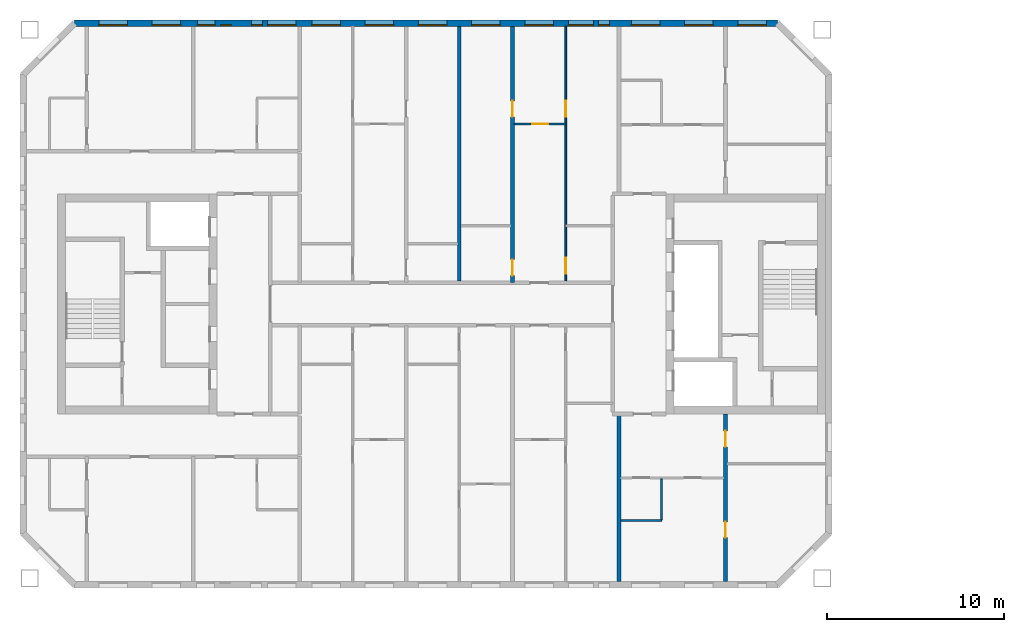
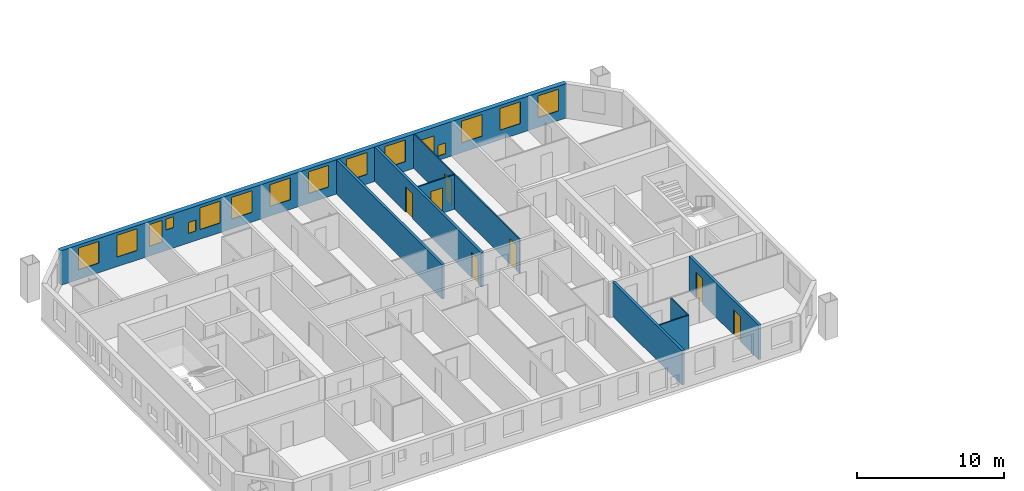
# One storey, part 6 of 16: 16 windows, 9 walls, 7 doors, 23 openings.
"""IFC4 building model written with IfcOpenShell, lengths in metres."""

import ifcopenshell
import ifcopenshell.guid

model = None  # the IFC model being written
_history = None  # IfcOwnerHistory: only IFC2X3 demands one
_inside = {}  # id of a spatial element -> (the spatial element, [elements in it])
_under = {}  # id of a project, library or spatial element -> (it, [spatial elements below it])
_declared = {}  # id of a project -> (the project, [libraries it declares])
_typed = {}  # id of a type object -> (the type object, [elements of that type])
_made_of = {}  # id of a material, layer set ... -> (it, [elements and type objects made of it])


def new_model(schema):
    """Start an empty IFC model of exactly this schema.

    Asked for "IFC4X3", IfcOpenShell would pick the latest addendum, in which some entities
    have other attributes; the version numbers below select the first issue.
    IFC2X3 requires an IfcOwnerHistory on every rooted entity: one is made here for all.
    """
    global model, _history
    if schema == "IFC4X3":
        model = ifcopenshell.file(schema_version=(4, 3, 0, 0))
    else:
        model = ifcopenshell.file(schema=schema)
    _inside.clear()
    _under.clear()
    _declared.clear()
    _typed.clear()
    _made_of.clear()
    _history = None
    if model.schema == "IFC2X3":
        org = make("IfcOrganization", Name="unknown")
        user = make(
            "IfcPersonAndOrganization",
            ThePerson=make("IfcPerson", FamilyName="unknown"),
            TheOrganization=org,
        )
        app = make(
            "IfcApplication",
            ApplicationDeveloper=org,
            Version="unknown",
            ApplicationFullName="unknown",
            ApplicationIdentifier="unknown",
        )
        _history = make(
            "IfcOwnerHistory",
            OwningUser=user,
            OwningApplication=app,
            ChangeAction="ADDED",
            CreationDate=0,
        )
    return model


def make(cls, **values):
    """One entity of the class cls with the attributes given. An attribute that is None is left unset."""
    return model.create_entity(
        cls, **{name: value for name, value in values.items() if value is not None}
    )


def rooted(cls, **values):
    """An entity with a GlobalId (a new one), such as an element, a storey or a relation."""
    return make(cls, GlobalId=ifcopenshell.guid.new(), OwnerHistory=_history, **values)


def si_unit(unit_type, name, prefix=None):
    """IfcSIUnit, for example si_unit("LENGTHUNIT", "METRE", prefix="MILLI")."""
    return make("IfcSIUnit", UnitType=unit_type, Prefix=prefix, Name=name)


def assignment(units):
    """IfcUnitAssignment: the units of a project."""
    return None if units is None else make("IfcUnitAssignment", Units=units)


def point(xyz):
    """IfcCartesianPoint."""
    return None if xyz is None else make("IfcCartesianPoint", Coordinates=xyz)


def direction(xyz):
    """IfcDirection."""
    return None if xyz is None else make("IfcDirection", DirectionRatios=xyz)


def frame(location, z_axis=None, x_axis=None):
    """IfcAxis2Placement3D, a coordinate frame: its origin and axes. An axis left out is left unset."""
    return make(
        "IfcAxis2Placement3D",
        Location=point(location),
        Axis=direction(z_axis),
        RefDirection=direction(x_axis),
    )


def frame_2d(location, x_axis=None):
    """IfcAxis2Placement2D, a coordinate frame in the plane: its origin and x axis."""
    return make(
        "IfcAxis2Placement2D", Location=point(location), RefDirection=direction(x_axis)
    )


def origin():
    """The frame at (0, 0, 0) with its axes left unset."""
    return frame((0.0, 0.0, 0.0))


def place(relative_to, where):
    """IfcLocalPlacement: puts the frame where relative to a parent placement (None: the world)."""
    return make(
        "IfcLocalPlacement", PlacementRelTo=relative_to, RelativePlacement=where
    )


def context(
    kind, dimensions, precision=None, world=None, true_north=None, identifier=None
):
    """IfcGeometricRepresentationContext, for example the 3D "Model" context."""
    return make(
        "IfcGeometricRepresentationContext",
        ContextIdentifier=identifier,
        ContextType=kind,
        CoordinateSpaceDimension=dimensions,
        Precision=precision,
        WorldCoordinateSystem=world,
        TrueNorth=true_north,
    )


def subcontext(parent, identifier, kind, view, scale=None):
    """IfcGeometricRepresentationSubContext, for example "Body" below "Model"."""
    return make(
        "IfcGeometricRepresentationSubContext",
        ContextIdentifier=identifier,
        ContextType=kind,
        ParentContext=parent,
        TargetScale=scale,
        TargetView=view,
    )


def project(units=None, contexts=None):
    """IfcProject with its units and contexts."""
    return rooted(
        "IfcProject",
        Name="project",
        RepresentationContexts=contexts,
        UnitsInContext=assignment(units),
    )


def spatial(cls, under=None, at=None, **own):
    """A site, building, storey or space (cls), placed at a placement, below another one or the project."""
    s = rooted(cls, ObjectPlacement=at, **own)
    if under is not None:
        _under.setdefault(under.id(), (under, []))[1].append(s)
    return s


def profile(cls, at=None, kind="AREA", **sizes):
    """A parametric profile (cls). Its sizes go by their IFC names, for example OverallWidth=200.0."""
    return make(cls, ProfileType=kind, Position=at, **sizes)


def rectangle(**sizes):
    """IfcRectangleProfileDef."""
    return profile("IfcRectangleProfileDef", **sizes)


def extrude(swept, where, along, depth):
    """IfcExtrudedAreaSolid: the profile swept, set in the frame where, extruded along a direction by depth."""
    return make(
        "IfcExtrudedAreaSolid",
        SweptArea=swept,
        Position=where,
        ExtrudedDirection=direction(along),
        Depth=depth,
    )


def shape(context_of_items, identifier, shape_type, items):
    """IfcShapeRepresentation: the items that make up one representation, for example the "Body"."""
    return make(
        "IfcShapeRepresentation",
        ContextOfItems=context_of_items,
        RepresentationIdentifier=identifier,
        RepresentationType=shape_type,
        Items=items,
    )


def material(Name=None, Category=None):
    """IfcMaterial."""
    return make("IfcMaterial", Name=Name, Category=Category)


def layer(
    of_material, thickness, ventilated=None, Name=None, Category=None, Priority=None
):
    """IfcMaterialLayer: one layer of a wall or slab, of a material (None: an air gap)."""
    return make(
        "IfcMaterialLayer",
        Material=of_material,
        LayerThickness=thickness,
        IsVentilated=ventilated,
        Name=Name,
        Category=Category,
        Priority=Priority,
    )


def layer_set(layers, Name=None):
    """IfcMaterialLayerSet."""
    return make("IfcMaterialLayerSet", MaterialLayers=layers, LayerSetName=Name)


def made_of(thing, what):
    """Note that an element or type object is made of a material, layer set ...; save() writes the relation."""
    if what is not None:
        _made_of.setdefault(what.id(), (what, []))[1].append(thing)
    return thing


def type_object(cls, material=None, **own):
    """A type object (cls), such as IfcWallType, which elements share."""
    return made_of(rooted(cls, **own), material)


def element(
    cls,
    number,
    at=None,
    inside=None,
    cuts=None,
    type_object=None,
    material=None,
    context=None,
    identifier="Body",
    shape_type=None,
    held_by="IfcProductDefinitionShape",
    body=None,
    shapes=None,
    **own,
):
    """One element of the class cls, such as IfcWall. Its Tag is "e" and its number.

    at: its placement. inside: the storey or other place that contains it. cuts: it is an
    opening in that element (IfcRelVoidsElement). A single representation is given by context,
    identifier, shape_type and body (its items); several are given by shapes. held_by: the class
    of the entity that holds the representations. save() writes the other relations.
    """
    e = rooted(cls, Tag="e%d" % number, ObjectPlacement=at, **own)
    if body is not None:
        shapes = [shape(context, identifier, shape_type, body)]
    if shapes is not None:
        e.Representation = make(held_by, Representations=shapes)
    if inside is not None:
        _inside.setdefault(inside.id(), (inside, []))[1].append(e)
    if cuts is not None:
        rooted(
            "IfcRelVoidsElement", RelatingBuildingElement=cuts, RelatedOpeningElement=e
        )
    if type_object is not None:
        _typed.setdefault(type_object.id(), (type_object, []))[1].append(e)
    return made_of(e, material)


def fill(opening, filler):
    """IfcRelFillsElement: the door or window that sits in an opening."""
    return rooted(
        "IfcRelFillsElement",
        RelatingOpeningElement=opening,
        RelatedBuildingElement=filler,
    )


def aggregate(whole, parts):
    """IfcRelAggregates: a whole, such as a stair, and the parts it consists of."""
    return rooted("IfcRelAggregates", RelatingObject=whole, RelatedObjects=parts)


def save(model, path):
    """Write the relations noted so far, then the file.

    IfcRelAggregates (storeys below a building ...), IfcRelContainedInSpatialStructure (elements
    in a storey), IfcRelDefinesByType, IfcRelAssociatesMaterial and IfcRelDeclares: one each for
    every whole, place, type object, material and project.
    """
    for whole, parts in _under.values():
        aggregate(whole, parts)
    for where, things in _inside.values():
        rooted(
            "IfcRelContainedInSpatialStructure",
            RelatedElements=things,
            RelatingStructure=where,
        )
    for kind, things in _typed.values():
        rooted("IfcRelDefinesByType", RelatedObjects=things, RelatingType=kind)
    for what, things in _made_of.values():
        rooted("IfcRelAssociatesMaterial", RelatedObjects=things, RelatingMaterial=what)
    for by, libraries in _declared.values():
        rooted("IfcRelDeclares", RelatingContext=by, RelatedDefinitions=libraries)
    model.write(path)


model = new_model("IFC4")

# Units and contexts
model_context = context("Model", 3, precision=1e-05, world=origin(), true_north=direction((0.0, 1.0)))
body_context = subcontext(model_context, "Body", "Model", "MODEL_VIEW")
ifc_project = project(units=[si_unit("LENGTHUNIT", "METRE"), si_unit("AREAUNIT", "SQUARE_METRE"), si_unit("VOLUMEUNIT", "CUBIC_METRE"), si_unit("PLANEANGLEUNIT", "RADIAN"), si_unit("MASSUNIT", "GRAM", prefix="KILO")], contexts=[model_context])

# Site, building, storey
site_placement = place(None, origin())
site = spatial("IfcSite", under=ifc_project, at=site_placement, CompositionType="ELEMENT")
building_placement = place(site_placement, origin())
building = spatial("IfcBuilding", under=site, at=building_placement, Name="Tuart Gate Housing", CompositionType="ELEMENT")
storey_placement = place(building_placement, frame((0.0, 0.0, 182.0)))
storey = spatial("IfcBuildingStorey", under=building, at=storey_placement, Name="L51", CompositionType="ELEMENT", Elevation=182.0)

# Wall, openings, windows
ifc_material_1 = material(Name="Brick", Category="masonry")
ifc_layer_1 = layer(ifc_material_1, 0.360107421875)
ifc_layer_set_1 = layer_set([ifc_layer_1], Name="Brick pier and spandrel wall 360")
wall_type_1 = type_object("IfcWallType", Name="Brick pier and spandrel wall 360", PredefinedType="STANDARD", material=ifc_layer_set_1)
wall_1_placement = place(storey_placement, frame((72.92529296875, 85.820068359375, 0.0), z_axis=(0.0, 0.0, 1.0), x_axis=(-1.0, 0.0, 0.0)))
wall_1 = element("IfcWall", 1, at=wall_1_placement, inside=storey, type_object=wall_type_1, Name="External wall A-N L51", PredefinedType="STANDARD", context=body_context, shape_type="SweptSolid", body=[
    extrude(rectangle(XDim=39.600830078125, YDim=0.360107421875, at=frame_2d((19.80029296875, 0.0))), origin(), (0.0, 0.0, 1.0), 2.85009765625),
])
opening_1_placement = place(wall_1_placement, frame((0.62548828125, 0.0, 0.800048828125)))
opening_1 = element("IfcOpeningElement", 2, at=opening_1_placement, cuts=wall_1, Name="Opening W1", PredefinedType="OPENING", context=body_context, shape_type="SweptSolid", body=[
    extrude(rectangle(XDim=1.60009765625, YDim=1.800048828125, at=frame_2d((0.800048828125, 0.89990234375))), frame((0.0, 0.18994140625, 0.0), z_axis=(0.0, -1.0, 0.0), x_axis=(1.0, 0.0, 0.0)), (0.0, 0.0, 1.0), 0.380126953125),
])
opening_2_placement = place(wall_1_placement, frame((3.62548828125, 0.0, 0.800048828125)))
opening_2 = element("IfcOpeningElement", 3, at=opening_2_placement, cuts=wall_1, Name="Opening W1", PredefinedType="OPENING", context=body_context, shape_type="SweptSolid", body=[
    extrude(rectangle(XDim=1.60009765625, YDim=1.800048828125, at=frame_2d((0.800048828125, 0.89990234375))), frame((0.0, 0.18994140625, 0.0), z_axis=(0.0, -1.0, 0.0), x_axis=(1.0, 0.0, 0.0)), (0.0, 0.0, 1.0), 0.380126953125),
])
opening_3_placement = place(wall_1_placement, frame((6.62548828125, 0.0, 0.800048828125)))
opening_3 = element("IfcOpeningElement", 4, at=opening_3_placement, cuts=wall_1, Name="Opening W1", PredefinedType="OPENING", context=body_context, shape_type="SweptSolid", body=[
    extrude(rectangle(XDim=1.60009765625, YDim=1.800048828125, at=frame_2d((0.800048828125, 0.89990234375))), frame((0.0, 0.18994140625, 0.0), z_axis=(0.0, -1.0, 0.0), x_axis=(1.0, 0.0, 0.0)), (0.0, 0.0, 1.0), 0.380126953125),
])
opening_4_placement = place(wall_1_placement, frame((9.475341796875, 0.0, 0.35009765625)))
opening_4 = element("IfcOpeningElement", 5, at=opening_4_placement, cuts=wall_1, Name="Opening W1W", PredefinedType="OPENING", context=body_context, shape_type="SweptSolid", body=[
    extrude(rectangle(XDim=0.60009765625, YDim=0.89990234375, at=frame_2d((0.300048828125, 0.449951171875))), frame((0.0, 0.18994140625, 0.0), z_axis=(0.0, -1.0, 0.0), x_axis=(1.0, 0.0, 0.0)), (0.0, 0.0, 1.0), 0.380126953125),
])
opening_5_placement = place(wall_1_placement, frame((12.62548828125, 0.0, 0.800048828125)))
opening_5 = element("IfcOpeningElement", 6, at=opening_5_placement, cuts=wall_1, Name="Opening W1", PredefinedType="OPENING", context=body_context, shape_type="SweptSolid", body=[
    extrude(rectangle(XDim=1.60009765625, YDim=1.800048828125, at=frame_2d((0.800048828125, 0.89990234375))), frame((0.0, 0.18994140625, 0.0), z_axis=(0.0, -1.0, 0.0), x_axis=(1.0, 0.0, 0.0)), (0.0, 0.0, 1.0), 0.380126953125),
])
opening_6_placement = place(wall_1_placement, frame((15.62548828125, 0.0, 0.800048828125)))
opening_6 = element("IfcOpeningElement", 7, at=opening_6_placement, cuts=wall_1, Name="Opening W1", PredefinedType="OPENING", context=body_context, shape_type="SweptSolid", body=[
    extrude(rectangle(XDim=1.60009765625, YDim=1.800048828125, at=frame_2d((0.800048828125, 0.89990234375))), frame((0.0, 0.18994140625, 0.0), z_axis=(0.0, -1.0, 0.0), x_axis=(1.0, 0.0, 0.0)), (0.0, 0.0, 1.0), 0.380126953125),
])
opening_7_placement = place(wall_1_placement, frame((18.62548828125, 0.0, 0.800048828125)))
opening_7 = element("IfcOpeningElement", 8, at=opening_7_placement, cuts=wall_1, Name="Opening W1", PredefinedType="OPENING", context=body_context, shape_type="SweptSolid", body=[
    extrude(rectangle(XDim=1.60009765625, YDim=1.800048828125, at=frame_2d((0.800048828125, 0.89990234375))), frame((0.0, 0.18994140625, 0.0), z_axis=(0.0, -1.0, 0.0), x_axis=(1.0, 0.0, 0.0)), (0.0, 0.0, 1.0), 0.380126953125),
])
opening_8_placement = place(wall_1_placement, frame((21.62548828125, 0.0, 0.800048828125)))
opening_8 = element("IfcOpeningElement", 9, at=opening_8_placement, cuts=wall_1, Name="Opening W1", PredefinedType="OPENING", context=body_context, shape_type="SweptSolid", body=[
    extrude(rectangle(XDim=1.60009765625, YDim=1.800048828125, at=frame_2d((0.800048828125, 0.89990234375))), frame((0.0, 0.18994140625, 0.0), z_axis=(0.0, -1.0, 0.0), x_axis=(1.0, 0.0, 0.0)), (0.0, 0.0, 1.0), 0.380126953125),
])
opening_9_placement = place(wall_1_placement, frame((24.62548828125, 0.0, 0.800048828125)))
opening_9 = element("IfcOpeningElement", 10, at=opening_9_placement, cuts=wall_1, Name="Opening W1", PredefinedType="OPENING", context=body_context, shape_type="SweptSolid", body=[
    extrude(rectangle(XDim=1.60009765625, YDim=1.800048828125, at=frame_2d((0.800048828125, 0.89990234375))), frame((0.0, 0.18994140625, 0.0), z_axis=(0.0, -1.0, 0.0), x_axis=(1.0, 0.0, 0.0)), (0.0, 0.0, 1.0), 0.380126953125),
])
opening_10_placement = place(wall_1_placement, frame((27.12548828125, 0.0, 0.800048828125)))
opening_10 = element("IfcOpeningElement", 11, at=opening_10_placement, cuts=wall_1, Name="Opening W1", PredefinedType="OPENING", context=body_context, shape_type="SweptSolid", body=[
    extrude(rectangle(XDim=1.60009765625, YDim=1.800048828125, at=frame_2d((0.800048828125, 0.89990234375))), frame((0.0, 0.18994140625, 0.0), z_axis=(0.0, -1.0, 0.0), x_axis=(1.0, 0.0, 0.0)), (0.0, 0.0, 1.0), 0.380126953125),
])
opening_11_placement = place(wall_1_placement, frame((29.025390625, 0.0, 0.800048828125)))
opening_11 = element("IfcOpeningElement", 12, at=opening_11_placement, cuts=wall_1, Name="Opening W1W", PredefinedType="OPENING", context=body_context, shape_type="SweptSolid", body=[
    extrude(rectangle(XDim=0.60009765625, YDim=0.89990234375, at=frame_2d((0.300048828125, 0.449951171875))), frame((0.0, 0.18994140625, 0.0), z_axis=(0.0, -1.0, 0.0), x_axis=(1.0, 0.0, 0.0)), (0.0, 0.0, 1.0), 0.380126953125),
])
opening_12_placement = place(wall_1_placement, frame((33.62548828125, 0.0, 0.800048828125)))
opening_12 = element("IfcOpeningElement", 13, at=opening_12_placement, cuts=wall_1, Name="Opening W1", PredefinedType="OPENING", context=body_context, shape_type="SweptSolid", body=[
    extrude(rectangle(XDim=1.60009765625, YDim=1.800048828125, at=frame_2d((0.800048828125, 0.89990234375))), frame((0.0, 0.18994140625, 0.0), z_axis=(0.0, -1.0, 0.0), x_axis=(1.0, 0.0, 0.0)), (0.0, 0.0, 1.0), 0.380126953125),
])
opening_13_placement = place(wall_1_placement, frame((36.62548828125, 0.0, 0.800048828125)))
opening_13 = element("IfcOpeningElement", 14, at=opening_13_placement, cuts=wall_1, Name="Opening W1", PredefinedType="OPENING", context=body_context, shape_type="SweptSolid", body=[
    extrude(rectangle(XDim=1.60009765625, YDim=1.800048828125, at=frame_2d((0.800048828125, 0.89990234375))), frame((0.0, 0.18994140625, 0.0), z_axis=(0.0, -1.0, 0.0), x_axis=(1.0, 0.0, 0.0)), (0.0, 0.0, 1.0), 0.380126953125),
])
opening_14_placement = place(wall_1_placement, frame((10.37548828125, 0.0, 0.35009765625)))
opening_14 = element("IfcOpeningElement", 15, at=opening_14_placement, cuts=wall_1, Name="Opening W1A", PredefinedType="OPENING", context=body_context, shape_type="SweptSolid", body=[
    extrude(rectangle(XDim=1.39990234375, YDim=1.800048828125, at=frame_2d((0.699951171875, 0.89990234375))), frame((0.0, 0.18994140625, 0.0), z_axis=(0.0, -1.0, 0.0), x_axis=(1.0, 0.0, 0.0)), (0.0, 0.0, 1.0), 0.380126953125),
])
opening_15_placement = place(wall_1_placement, frame((30.775390625, 0.0, 1.699951171875)))
opening_15 = element("IfcOpeningElement", 16, at=opening_15_placement, cuts=wall_1, Name="Opening W1W", PredefinedType="OPENING", context=body_context, shape_type="SweptSolid", body=[
    extrude(rectangle(XDim=0.60009765625, YDim=0.89990234375, at=frame_2d((0.300048828125, 0.449951171875))), frame((0.0, 0.18994140625, 0.0), z_axis=(0.0, -1.0, 0.0), x_axis=(1.0, 0.0, 0.0)), (0.0, 0.0, 1.0), 0.380126953125),
])
opening_16_placement = place(wall_1_placement, frame((31.67529296875, 0.0, 0.800048828125)))
opening_16 = element("IfcOpeningElement", 17, at=opening_16_placement, cuts=wall_1, Name="Opening W1C", PredefinedType="OPENING", context=body_context, shape_type="SweptSolid", body=[
    extrude(rectangle(XDim=1.0, YDim=1.800048828125, at=frame_2d((0.5, 0.89990234375))), frame((0.0, 0.18994140625, 0.0), z_axis=(0.0, -1.0, 0.0), x_axis=(1.0, 0.0, 0.0)), (0.0, 0.0, 1.0), 0.380126953125),
])
ifc_material_2 = material(Name="Aluminium frame with clear glass", Category="aluminium")
window_type_1 = type_object("IfcWindowType", Name="Punched window 1000 x 1800", PartitioningType="SINGLE_PANEL", PredefinedType="WINDOW", material=ifc_material_2)
window_1_placement = place(opening_16_placement, origin())
window_1 = element("IfcWindow", 18, at=window_1_placement, inside=storey, type_object=window_type_1, Name="Window W1C", OverallHeight=1.800048828125, OverallWidth=1.0, PartitioningType="SINGLE_PANEL", PredefinedType="WINDOW", context=body_context, shape_type="SweptSolid", body=[
    extrude(rectangle(XDim=1.0, YDim=1.800048828125, at=frame_2d((0.5, 0.89990234375))), frame((0.0, 0.150146484375, 0.0), z_axis=(0.0, -1.0, 0.0), x_axis=(1.0, 0.0, 0.0)), (0.0, 0.0, 1.0), 0.06005859375),
])
fill(opening_16, window_1)
ifc_material_3 = material(Name="Aluminium frame with clear glass", Category="aluminium")
window_type_2 = type_object("IfcWindowType", Name="Punched window 1400 x 1800", PartitioningType="SINGLE_PANEL", PredefinedType="WINDOW", material=ifc_material_3)
window_2_placement = place(opening_14_placement, origin())
window_2 = element("IfcWindow", 19, at=window_2_placement, inside=storey, type_object=window_type_2, Name="Window W1A", OverallHeight=1.800048828125, OverallWidth=1.39990234375, PartitioningType="SINGLE_PANEL", PredefinedType="WINDOW", context=body_context, shape_type="SweptSolid", body=[
    extrude(rectangle(XDim=1.39990234375, YDim=1.800048828125, at=frame_2d((0.699951171875, 0.89990234375))), frame((0.0, 0.150146484375, 0.0), z_axis=(0.0, -1.0, 0.0), x_axis=(1.0, 0.0, 0.0)), (0.0, 0.0, 1.0), 0.06005859375),
])
fill(opening_14, window_2)
ifc_material_4 = material(Name="Aluminium frame with clear glass", Category="aluminium")
window_type_3 = type_object("IfcWindowType", Name="Punched window 1600 x 1800", PartitioningType="SINGLE_PANEL", PredefinedType="WINDOW", material=ifc_material_4)
window_3_placement = place(opening_1_placement, origin())
window_3 = element("IfcWindow", 20, at=window_3_placement, inside=storey, type_object=window_type_3, Name="Window W1", OverallHeight=1.800048828125, OverallWidth=1.60009765625, PartitioningType="SINGLE_PANEL", PredefinedType="WINDOW", context=body_context, shape_type="SweptSolid", body=[
    extrude(rectangle(XDim=1.60009765625, YDim=1.800048828125, at=frame_2d((0.800048828125, 0.89990234375))), frame((0.0, 0.150146484375, 0.0), z_axis=(0.0, -1.0, 0.0), x_axis=(1.0, 0.0, 0.0)), (0.0, 0.0, 1.0), 0.06005859375),
])
fill(opening_1, window_3)
window_4_placement = place(opening_2_placement, origin())
window_4 = element("IfcWindow", 21, at=window_4_placement, inside=storey, type_object=window_type_3, Name="Window W1", OverallHeight=1.800048828125, OverallWidth=1.60009765625, PartitioningType="SINGLE_PANEL", PredefinedType="WINDOW", context=body_context, shape_type="SweptSolid", body=[
    extrude(rectangle(XDim=1.60009765625, YDim=1.800048828125, at=frame_2d((0.800048828125, 0.89990234375))), frame((0.0, 0.150146484375, 0.0), z_axis=(0.0, -1.0, 0.0), x_axis=(1.0, 0.0, 0.0)), (0.0, 0.0, 1.0), 0.06005859375),
])
fill(opening_2, window_4)
window_5_placement = place(opening_3_placement, origin())
window_5 = element("IfcWindow", 22, at=window_5_placement, inside=storey, type_object=window_type_3, Name="Window W1", OverallHeight=1.800048828125, OverallWidth=1.60009765625, PartitioningType="SINGLE_PANEL", PredefinedType="WINDOW", context=body_context, shape_type="SweptSolid", body=[
    extrude(rectangle(XDim=1.60009765625, YDim=1.800048828125, at=frame_2d((0.800048828125, 0.89990234375))), frame((0.0, 0.150146484375, 0.0), z_axis=(0.0, -1.0, 0.0), x_axis=(1.0, 0.0, 0.0)), (0.0, 0.0, 1.0), 0.06005859375),
])
fill(opening_3, window_5)
window_6_placement = place(opening_5_placement, origin())
window_6 = element("IfcWindow", 23, at=window_6_placement, inside=storey, type_object=window_type_3, Name="Window W1", OverallHeight=1.800048828125, OverallWidth=1.60009765625, PartitioningType="SINGLE_PANEL", PredefinedType="WINDOW", context=body_context, shape_type="SweptSolid", body=[
    extrude(rectangle(XDim=1.60009765625, YDim=1.800048828125, at=frame_2d((0.800048828125, 0.89990234375))), frame((0.0, 0.150146484375, 0.0), z_axis=(0.0, -1.0, 0.0), x_axis=(1.0, 0.0, 0.0)), (0.0, 0.0, 1.0), 0.06005859375),
])
fill(opening_5, window_6)
window_7_placement = place(opening_6_placement, origin())
window_7 = element("IfcWindow", 24, at=window_7_placement, inside=storey, type_object=window_type_3, Name="Window W1", OverallHeight=1.800048828125, OverallWidth=1.60009765625, PartitioningType="SINGLE_PANEL", PredefinedType="WINDOW", context=body_context, shape_type="SweptSolid", body=[
    extrude(rectangle(XDim=1.60009765625, YDim=1.800048828125, at=frame_2d((0.800048828125, 0.89990234375))), frame((0.0, 0.150146484375, 0.0), z_axis=(0.0, -1.0, 0.0), x_axis=(1.0, 0.0, 0.0)), (0.0, 0.0, 1.0), 0.06005859375),
])
fill(opening_6, window_7)
window_8_placement = place(opening_7_placement, origin())
window_8 = element("IfcWindow", 25, at=window_8_placement, inside=storey, type_object=window_type_3, Name="Window W1", OverallHeight=1.800048828125, OverallWidth=1.60009765625, PartitioningType="SINGLE_PANEL", PredefinedType="WINDOW", context=body_context, shape_type="SweptSolid", body=[
    extrude(rectangle(XDim=1.60009765625, YDim=1.800048828125, at=frame_2d((0.800048828125, 0.89990234375))), frame((0.0, 0.150146484375, 0.0), z_axis=(0.0, -1.0, 0.0), x_axis=(1.0, 0.0, 0.0)), (0.0, 0.0, 1.0), 0.06005859375),
])
fill(opening_7, window_8)
window_9_placement = place(opening_8_placement, origin())
window_9 = element("IfcWindow", 26, at=window_9_placement, inside=storey, type_object=window_type_3, Name="Window W1", OverallHeight=1.800048828125, OverallWidth=1.60009765625, PartitioningType="SINGLE_PANEL", PredefinedType="WINDOW", context=body_context, shape_type="SweptSolid", body=[
    extrude(rectangle(XDim=1.60009765625, YDim=1.800048828125, at=frame_2d((0.800048828125, 0.89990234375))), frame((0.0, 0.150146484375, 0.0), z_axis=(0.0, -1.0, 0.0), x_axis=(1.0, 0.0, 0.0)), (0.0, 0.0, 1.0), 0.06005859375),
])
fill(opening_8, window_9)
window_10_placement = place(opening_9_placement, origin())
window_10 = element("IfcWindow", 27, at=window_10_placement, inside=storey, type_object=window_type_3, Name="Window W1", OverallHeight=1.800048828125, OverallWidth=1.60009765625, PartitioningType="SINGLE_PANEL", PredefinedType="WINDOW", context=body_context, shape_type="SweptSolid", body=[
    extrude(rectangle(XDim=1.60009765625, YDim=1.800048828125, at=frame_2d((0.800048828125, 0.89990234375))), frame((0.0, 0.150146484375, 0.0), z_axis=(0.0, -1.0, 0.0), x_axis=(1.0, 0.0, 0.0)), (0.0, 0.0, 1.0), 0.06005859375),
])
fill(opening_9, window_10)
window_11_placement = place(opening_10_placement, origin())
window_11 = element("IfcWindow", 28, at=window_11_placement, inside=storey, type_object=window_type_3, Name="Window W1", OverallHeight=1.800048828125, OverallWidth=1.60009765625, PartitioningType="SINGLE_PANEL", PredefinedType="WINDOW", context=body_context, shape_type="SweptSolid", body=[
    extrude(rectangle(XDim=1.60009765625, YDim=1.800048828125, at=frame_2d((0.800048828125, 0.89990234375))), frame((0.0, 0.150146484375, 0.0), z_axis=(0.0, -1.0, 0.0), x_axis=(1.0, 0.0, 0.0)), (0.0, 0.0, 1.0), 0.06005859375),
])
fill(opening_10, window_11)
window_12_placement = place(opening_12_placement, origin())
window_12 = element("IfcWindow", 29, at=window_12_placement, inside=storey, type_object=window_type_3, Name="Window W1", OverallHeight=1.800048828125, OverallWidth=1.60009765625, PartitioningType="SINGLE_PANEL", PredefinedType="WINDOW", context=body_context, shape_type="SweptSolid", body=[
    extrude(rectangle(XDim=1.60009765625, YDim=1.800048828125, at=frame_2d((0.800048828125, 0.89990234375))), frame((0.0, 0.150146484375, 0.0), z_axis=(0.0, -1.0, 0.0), x_axis=(1.0, 0.0, 0.0)), (0.0, 0.0, 1.0), 0.06005859375),
])
fill(opening_12, window_12)
window_13_placement = place(opening_13_placement, origin())
window_13 = element("IfcWindow", 30, at=window_13_placement, inside=storey, type_object=window_type_3, Name="Window W1", OverallHeight=1.800048828125, OverallWidth=1.60009765625, PartitioningType="SINGLE_PANEL", PredefinedType="WINDOW", context=body_context, shape_type="SweptSolid", body=[
    extrude(rectangle(XDim=1.60009765625, YDim=1.800048828125, at=frame_2d((0.800048828125, 0.89990234375))), frame((0.0, 0.150146484375, 0.0), z_axis=(0.0, -1.0, 0.0), x_axis=(1.0, 0.0, 0.0)), (0.0, 0.0, 1.0), 0.06005859375),
])
fill(opening_13, window_13)
ifc_material_5 = material(Name="Aluminium frame with clear glass", Category="aluminium")
window_type_4 = type_object("IfcWindowType", Name="Punched window 600 x 900", PartitioningType="SINGLE_PANEL", PredefinedType="WINDOW", material=ifc_material_5)
window_14_placement = place(opening_4_placement, origin())
window_14 = element("IfcWindow", 31, at=window_14_placement, inside=storey, type_object=window_type_4, Name="Window W1W", OverallHeight=0.89990234375, OverallWidth=0.60009765625, PartitioningType="SINGLE_PANEL", PredefinedType="WINDOW", context=body_context, shape_type="SweptSolid", body=[
    extrude(rectangle(XDim=0.60009765625, YDim=0.89990234375, at=frame_2d((0.300048828125, 0.449951171875))), frame((0.0, 0.150146484375, 0.0), z_axis=(0.0, -1.0, 0.0), x_axis=(1.0, 0.0, 0.0)), (0.0, 0.0, 1.0), 0.06005859375),
])
fill(opening_4, window_14)
window_15_placement = place(opening_11_placement, origin())
window_15 = element("IfcWindow", 32, at=window_15_placement, inside=storey, type_object=window_type_4, Name="Window W1W", OverallHeight=0.89990234375, OverallWidth=0.60009765625, PartitioningType="SINGLE_PANEL", PredefinedType="WINDOW", context=body_context, shape_type="SweptSolid", body=[
    extrude(rectangle(XDim=0.60009765625, YDim=0.89990234375, at=frame_2d((0.300048828125, 0.449951171875))), frame((0.0, 0.150146484375, 0.0), z_axis=(0.0, -1.0, 0.0), x_axis=(1.0, 0.0, 0.0)), (0.0, 0.0, 1.0), 0.06005859375),
])
fill(opening_11, window_15)
window_16_placement = place(opening_15_placement, origin())
window_16 = element("IfcWindow", 33, at=window_16_placement, inside=storey, type_object=window_type_4, Name="Window W1W", OverallHeight=0.89990234375, OverallWidth=0.60009765625, PartitioningType="SINGLE_PANEL", PredefinedType="WINDOW", context=body_context, shape_type="SweptSolid", body=[
    extrude(rectangle(XDim=0.60009765625, YDim=0.89990234375, at=frame_2d((0.300048828125, 0.449951171875))), frame((0.0, 0.150146484375, 0.0), z_axis=(0.0, -1.0, 0.0), x_axis=(1.0, 0.0, 0.0)), (0.0, 0.0, 1.0), 0.06005859375),
])
fill(opening_15, window_16)

# Wall
ifc_material_6 = material(Name="Gypsum board on steel studs", Category="steel")
ifc_layer_2 = layer(ifc_material_6, 0.10009765625)
ifc_layer_set_2 = layer_set([ifc_layer_2], Name="Partition 100")
wall_type_2 = type_object("IfcWallType", Name="Partition 100", PredefinedType="PARTITIONING", material=ifc_layer_set_2)
wall_2_placement = place(storey_placement, frame((64.10009765625, 57.800048828125, 0.0), z_axis=(0.0, 0.0, 1.0), x_axis=(1.0, 0.0, 0.0)))
element("IfcWall", 34, at=wall_2_placement, inside=storey, type_object=wall_type_2, Name="Partition 100", PredefinedType="PARTITIONING", context=body_context, shape_type="SweptSolid", body=[
    extrude(rectangle(XDim=2.2998046875, YDim=0.10009765625, at=frame_2d((1.14990234375, 0.0))), origin(), (0.0, 0.0, 1.0), 2.85009765625),
])

# Wall, opening, door
wall_3_placement = place(storey_placement, frame((58.10009765625, 80.139892578125, 0.0), z_axis=(0.0, 0.0, 1.0), x_axis=(1.0, 0.0, 0.0)))
wall_3 = element("IfcWall", 35, at=wall_3_placement, inside=storey, type_object=wall_type_2, Name="Partition 100", PredefinedType="PARTITIONING", context=body_context, shape_type="SweptSolid", body=[
    extrude(rectangle(XDim=2.89990234375, YDim=0.10009765625, at=frame_2d((1.449951171875, 0.0))), origin(), (0.0, 0.0, 1.0), 2.85009765625),
])
opening_17_placement = place(wall_3_placement, frame((1.0, 0.0, 0.0)))
opening_17 = element("IfcOpeningElement", 36, at=opening_17_placement, cuts=wall_3, Name="Opening D1738", PredefinedType="OPENING", context=body_context, shape_type="SweptSolid", body=[
    extrude(rectangle(XDim=0.89990234375, YDim=2.10009765625, at=frame_2d((0.449951171875, 1.050048828125))), frame((0.0, 0.06005859375, 0.0), z_axis=(0.0, -1.0, 0.0), x_axis=(1.0, 0.0, 0.0)), (0.0, 0.0, 1.0), 0.1201171875),
])
ifc_material_7 = material(Name="Timber door leaf in steel frame", Category="steel")
door_type_1 = type_object("IfcDoorType", Name="Internal door 900", OperationType="SINGLE_SWING_LEFT", PredefinedType="DOOR", material=ifc_material_7)
door_1_placement = place(opening_17_placement, frame((0.89990234375, 0.0, 0.0), z_axis=(0.0, 0.0, 1.0), x_axis=(-1.0, 0.0, 0.0)))
door_1 = element("IfcDoor", 37, at=door_1_placement, inside=storey, type_object=door_type_1, Name="Internal door", OperationType="SINGLE_SWING_LEFT", OverallHeight=2.10009765625, OverallWidth=0.89990234375, PredefinedType="DOOR", context=body_context, shape_type="SweptSolid", body=[
    extrude(rectangle(XDim=0.89990234375, YDim=2.10009765625, at=frame_2d((0.449951171875, 1.050048828125))), frame((0.0, 0.025146484375, 0.0), z_axis=(0.0, -1.0, 0.0), x_axis=(1.0, 0.0, 0.0)), (0.0, 0.0, 1.0), 0.050048828125),
])
fill(opening_17, door_1)

# Wall, openings, doors
wall_4_placement = place(storey_placement, frame((61.0, 71.300048828125, 0.0), z_axis=(0.0, 0.0, 1.0), x_axis=(0.0, 1.0, 0.0)))
wall_4 = element("IfcWall", 38, at=wall_4_placement, inside=storey, type_object=wall_type_2, Name="Partition 100", PredefinedType="PARTITIONING", context=body_context, shape_type="SweptSolid", body=[
    extrude(rectangle(XDim=14.33984375, YDim=0.10009765625, at=frame_2d((7.169921875, 0.0))), origin(), (0.0, 0.0, 1.0), 2.85009765625),
])
opening_18_placement = place(wall_4_placement, frame((9.239990234375, 0.0, 0.0)))
opening_18 = element("IfcOpeningElement", 39, at=opening_18_placement, cuts=wall_4, Name="Opening D1747", PredefinedType="OPENING", context=body_context, shape_type="SweptSolid", body=[
    extrude(rectangle(XDim=0.89990234375, YDim=2.10009765625, at=frame_2d((0.449951171875, 1.050048828125))), frame((0.0, 0.06005859375, 0.0), z_axis=(0.0, -1.0, 0.0), x_axis=(1.0, 0.0, 0.0)), (0.0, 0.0, 1.0), 0.1201171875),
])
opening_19_placement = place(wall_4_placement, frame((0.39990234375, 0.0, 0.0)))
opening_19 = element("IfcOpeningElement", 40, at=opening_19_placement, cuts=wall_4, Name="Opening D1746", PredefinedType="OPENING", context=body_context, shape_type="SweptSolid", body=[
    extrude(rectangle(XDim=0.89990234375, YDim=2.10009765625, at=frame_2d((0.449951171875, 1.050048828125))), frame((0.0, 0.06005859375, 0.0), z_axis=(0.0, -1.0, 0.0), x_axis=(1.0, 0.0, 0.0)), (0.0, 0.0, 1.0), 0.1201171875),
])
ifc_material_8 = material(Name="Timber door leaf in steel frame", Category="steel")
door_type_2 = type_object("IfcDoorType", Name="Bathroom door 900 RH", OperationType="SINGLE_SWING_RIGHT", PredefinedType="DOOR", material=ifc_material_8)
door_2_placement = place(opening_19_placement, frame((0.89990234375, 0.0, 0.0), z_axis=(0.0, 0.0, 1.0), x_axis=(-1.0, 0.0, 0.0)))
door_2 = element("IfcDoor", 41, at=door_2_placement, inside=storey, type_object=door_type_2, Name="Bathroom door", OperationType="SINGLE_SWING_RIGHT", OverallHeight=2.10009765625, OverallWidth=0.89990234375, PredefinedType="DOOR", context=body_context, shape_type="SweptSolid", body=[
    extrude(rectangle(XDim=0.89990234375, YDim=2.10009765625, at=frame_2d((0.449951171875, 1.050048828125))), frame((0.0, 0.025146484375, 0.0), z_axis=(0.0, -1.0, 0.0), x_axis=(1.0, 0.0, 0.0)), (0.0, 0.0, 1.0), 0.050048828125),
])
fill(opening_19, door_2)
door_3_placement = place(opening_18_placement, frame((0.89990234375, 0.0, 0.0), z_axis=(0.0, 0.0, 1.0), x_axis=(-1.0, 0.0, 0.0)))
door_3 = element("IfcDoor", 42, at=door_3_placement, inside=storey, type_object=door_type_1, Name="Internal door", OperationType="SINGLE_SWING_LEFT", OverallHeight=2.10009765625, OverallWidth=0.89990234375, PredefinedType="DOOR", context=body_context, shape_type="SweptSolid", body=[
    extrude(rectangle(XDim=0.89990234375, YDim=2.10009765625, at=frame_2d((0.449951171875, 1.050048828125))), frame((0.0, 0.025146484375, 0.0), z_axis=(0.0, -1.0, 0.0), x_axis=(1.0, 0.0, 0.0)), (0.0, 0.0, 1.0), 0.050048828125),
])
fill(opening_18, door_3)

# Wall
wall_5_placement = place(storey_placement, frame((66.39990234375, 57.85009765625, 0.0), z_axis=(0.0, 0.0, 1.0), x_axis=(0.0, 1.0, 0.0)))
element("IfcWall", 43, at=wall_5_placement, inside=storey, type_object=wall_type_2, Name="Partition 100", PredefinedType="PARTITIONING", context=body_context, shape_type="SweptSolid", body=[
    extrude(rectangle(XDim=2.2998046875, YDim=0.10009765625, at=frame_2d((1.14990234375, 0.0))), origin(), (0.0, 0.0, 1.0), 2.85009765625),
])

# Wall, openings, doors
ifc_material_9 = material(Name="Concrete C40", Category="concrete")
ifc_layer_3 = layer(ifc_material_9, 0.199951171875)
ifc_layer_set_3 = layer_set([ifc_layer_3], Name="Party wall concrete C40 200")
wall_type_3 = type_object("IfcWallType", Name="Party wall concrete C40 200", PredefinedType="SOLIDWALL", material=ifc_layer_set_3)
wall_6_placement = place(storey_placement, frame((58.0, 71.199951171875, 0.0), z_axis=(0.0, 0.0, 1.0), x_axis=(0.0, 1.0, 0.0)))
wall_6 = element("IfcWall", 44, at=wall_6_placement, inside=storey, type_object=wall_type_3, Name="Party wall concrete C40 200", PredefinedType="SOLIDWALL", context=body_context, shape_type="SweptSolid", body=[
    extrude(rectangle(XDim=14.43994140625, YDim=0.199951171875, at=frame_2d((7.219970703125, 0.0))), origin(), (0.0, 0.0, 1.0), 2.85009765625),
])
opening_20_placement = place(wall_6_placement, frame((9.340087890625, 0.0, 0.0)))
opening_20 = element("IfcOpeningElement", 45, at=opening_20_placement, cuts=wall_6, Name="Opening D1751", PredefinedType="OPENING", context=body_context, shape_type="SweptSolid", body=[
    extrude(rectangle(XDim=0.89990234375, YDim=2.10009765625, at=frame_2d((0.449951171875, 1.050048828125))), frame((0.0, 0.10986328125, 0.0), z_axis=(0.0, -1.0, 0.0), x_axis=(1.0, 0.0, 0.0)), (0.0, 0.0, 1.0), 0.219970703125),
])
opening_21_placement = place(wall_6_placement, frame((0.39990234375, 0.0, 0.0)))
opening_21 = element("IfcOpeningElement", 46, at=opening_21_placement, cuts=wall_6, Name="Opening D1750", PredefinedType="OPENING", context=body_context, shape_type="SweptSolid", body=[
    extrude(rectangle(XDim=0.89990234375, YDim=2.10009765625, at=frame_2d((0.449951171875, 1.050048828125))), frame((0.0, 0.10986328125, 0.0), z_axis=(0.0, -1.0, 0.0), x_axis=(1.0, 0.0, 0.0)), (0.0, 0.0, 1.0), 0.219970703125),
])
ifc_material_10 = material(Name="Timber door leaf in steel frame", Category="steel")
door_type_3 = type_object("IfcDoorType", Name="Bathroom door 900", OperationType="SINGLE_SWING_LEFT", PredefinedType="DOOR", material=ifc_material_10)
door_4_placement = place(opening_21_placement, origin())
door_4 = element("IfcDoor", 47, at=door_4_placement, inside=storey, type_object=door_type_3, Name="Bathroom door", OperationType="SINGLE_SWING_LEFT", OverallHeight=2.10009765625, OverallWidth=0.89990234375, PredefinedType="DOOR", context=body_context, shape_type="SweptSolid", body=[
    extrude(rectangle(XDim=0.89990234375, YDim=2.10009765625, at=frame_2d((0.449951171875, 1.050048828125))), frame((0.0, 0.02490234375, 0.0), z_axis=(0.0, -1.0, 0.0), x_axis=(1.0, 0.0, 0.0)), (0.0, 0.0, 1.0), 0.050048828125),
])
fill(opening_21, door_4)
ifc_material_11 = material(Name="Timber door leaf in steel frame", Category="steel")
door_type_4 = type_object("IfcDoorType", Name="Internal door 900 RH", OperationType="SINGLE_SWING_RIGHT", PredefinedType="DOOR", material=ifc_material_11)
door_5_placement = place(opening_20_placement, origin())
door_5 = element("IfcDoor", 48, at=door_5_placement, inside=storey, type_object=door_type_4, Name="Internal door", OperationType="SINGLE_SWING_RIGHT", OverallHeight=2.10009765625, OverallWidth=0.89990234375, PredefinedType="DOOR", context=body_context, shape_type="SweptSolid", body=[
    extrude(rectangle(XDim=0.89990234375, YDim=2.10009765625, at=frame_2d((0.449951171875, 1.050048828125))), frame((0.0, 0.02490234375, 0.0), z_axis=(0.0, -1.0, 0.0), x_axis=(1.0, 0.0, 0.0)), (0.0, 0.0, 1.0), 0.050048828125),
])
fill(opening_20, door_5)

# Wall
wall_7_placement = place(storey_placement, frame((64.0, 54.360107421875, 0.0), z_axis=(0.0, 0.0, 1.0), x_axis=(0.0, 1.0, 0.0)))
element("IfcWall", 49, at=wall_7_placement, inside=storey, type_object=wall_type_3, Name="Party wall concrete C40 200", PredefinedType="SOLIDWALL", context=body_context, shape_type="SweptSolid", body=[
    extrude(rectangle(XDim=9.43994140625, YDim=0.199951171875, at=frame_2d((4.719970703125, 0.0))), origin(), (0.0, 0.0, 1.0), 2.85009765625),
])

# Wall, openings, doors
wall_8_placement = place(storey_placement, frame((70.0, 54.360107421875, 0.0), z_axis=(0.0, 0.0, 1.0), x_axis=(0.0, 1.0, 0.0)))
wall_8 = element("IfcWall", 50, at=wall_8_placement, inside=storey, type_object=wall_type_3, Name="Party wall concrete C40 200", PredefinedType="SOLIDWALL", context=body_context, shape_type="SweptSolid", body=[
    extrude(rectangle(XDim=9.43994140625, YDim=0.199951171875, at=frame_2d((4.719970703125, 0.0))), origin(), (0.0, 0.0, 1.0), 2.85009765625),
])
opening_22_placement = place(wall_8_placement, frame((2.469970703125, 0.0, 0.0)))
opening_22 = element("IfcOpeningElement", 51, at=opening_22_placement, cuts=wall_8, Name="Opening D1787", PredefinedType="OPENING", context=body_context, shape_type="SweptSolid", body=[
    extrude(rectangle(XDim=0.89990234375, YDim=2.10009765625, at=frame_2d((0.449951171875, 1.050048828125))), frame((0.0, 0.10986328125, 0.0), z_axis=(0.0, -1.0, 0.0), x_axis=(1.0, 0.0, 0.0)), (0.0, 0.0, 1.0), 0.219970703125),
])
opening_23_placement = place(wall_8_placement, frame((7.590087890625, 0.0, 0.0)))
opening_23 = element("IfcOpeningElement", 52, at=opening_23_placement, cuts=wall_8, Name="Opening D1788", PredefinedType="OPENING", context=body_context, shape_type="SweptSolid", body=[
    extrude(rectangle(XDim=0.89990234375, YDim=2.10009765625, at=frame_2d((0.449951171875, 1.050048828125))), frame((0.0, 0.10986328125, 0.0), z_axis=(0.0, -1.0, 0.0), x_axis=(1.0, 0.0, 0.0)), (0.0, 0.0, 1.0), 0.219970703125),
])
door_6_placement = place(opening_22_placement, frame((0.89990234375, 0.0, 0.0), z_axis=(0.0, 0.0, 1.0), x_axis=(-1.0, 0.0, 0.0)))
door_6 = element("IfcDoor", 53, at=door_6_placement, inside=storey, type_object=door_type_4, Name="Internal door", OperationType="SINGLE_SWING_RIGHT", OverallHeight=2.10009765625, OverallWidth=0.89990234375, PredefinedType="DOOR", context=body_context, shape_type="SweptSolid", body=[
    extrude(rectangle(XDim=0.89990234375, YDim=2.10009765625, at=frame_2d((0.449951171875, 1.050048828125))), frame((0.0, 0.025146484375, 0.0), z_axis=(0.0, -1.0, 0.0), x_axis=(1.0, 0.0, 0.0)), (0.0, 0.0, 1.0), 0.050048828125),
])
fill(opening_22, door_6)
door_7_placement = place(opening_23_placement, frame((0.89990234375, 0.0, 0.0), z_axis=(0.0, 0.0, 1.0), x_axis=(-1.0, 0.0, 0.0)))
door_7 = element("IfcDoor", 54, at=door_7_placement, inside=storey, type_object=door_type_4, Name="Internal door", OperationType="SINGLE_SWING_RIGHT", OverallHeight=2.10009765625, OverallWidth=0.89990234375, PredefinedType="DOOR", context=body_context, shape_type="SweptSolid", body=[
    extrude(rectangle(XDim=0.89990234375, YDim=2.10009765625, at=frame_2d((0.449951171875, 1.050048828125))), frame((0.0, 0.025146484375, 0.0), z_axis=(0.0, -1.0, 0.0), x_axis=(1.0, 0.0, 0.0)), (0.0, 0.0, 1.0), 0.050048828125),
])
fill(opening_23, door_7)

# Wall
ifc_material_12 = material(Name="Concrete masonry 15 MPa", Category="masonry")
ifc_layer_4 = layer(ifc_material_12, 0.199951171875)
ifc_layer_set_4 = layer_set([ifc_layer_4], Name="Party wall masonry 200")
wall_type_4 = type_object("IfcWallType", Name="Party wall masonry 200", PredefinedType="PARTITIONING", material=ifc_layer_set_4)
wall_9_placement = place(storey_placement, frame((55.0, 71.300048828125, 0.0), z_axis=(0.0, 0.0, 1.0), x_axis=(0.0, 1.0, 0.0)))
element("IfcWall", 55, at=wall_9_placement, inside=storey, type_object=wall_type_4, Name="Party wall masonry 200", PredefinedType="PARTITIONING", context=body_context, shape_type="SweptSolid", body=[
    extrude(rectangle(XDim=14.33984375, YDim=0.199951171875, at=frame_2d((7.169921875, 0.0))), origin(), (0.0, 0.0, 1.0), 2.85009765625),
])

save(model, "model.ifc")
